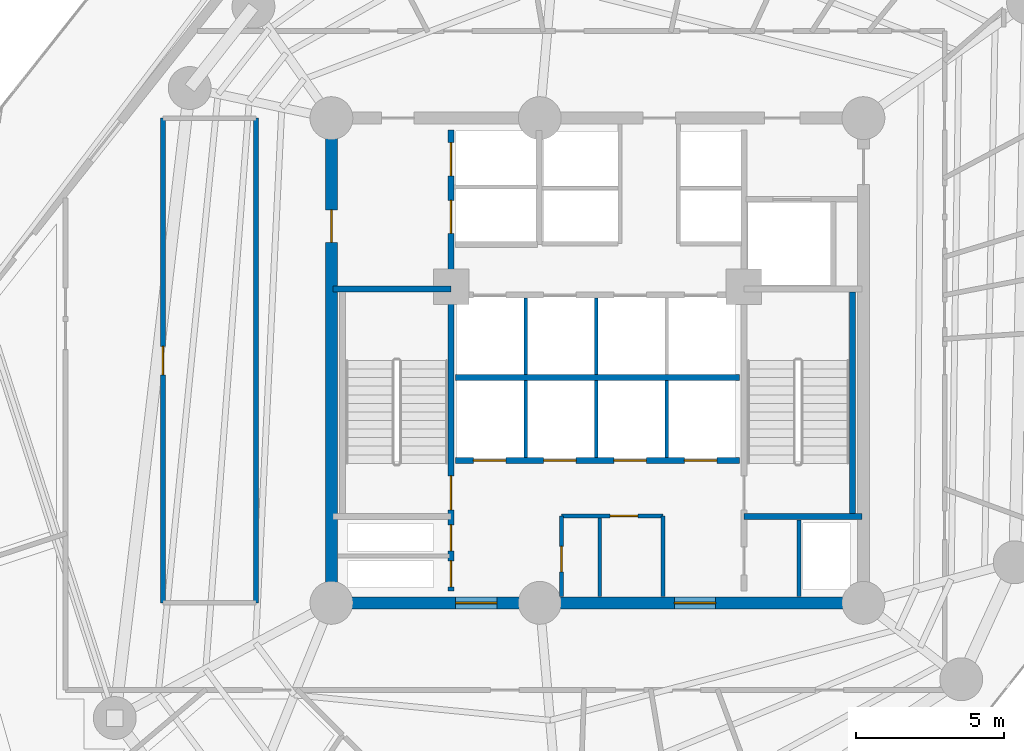
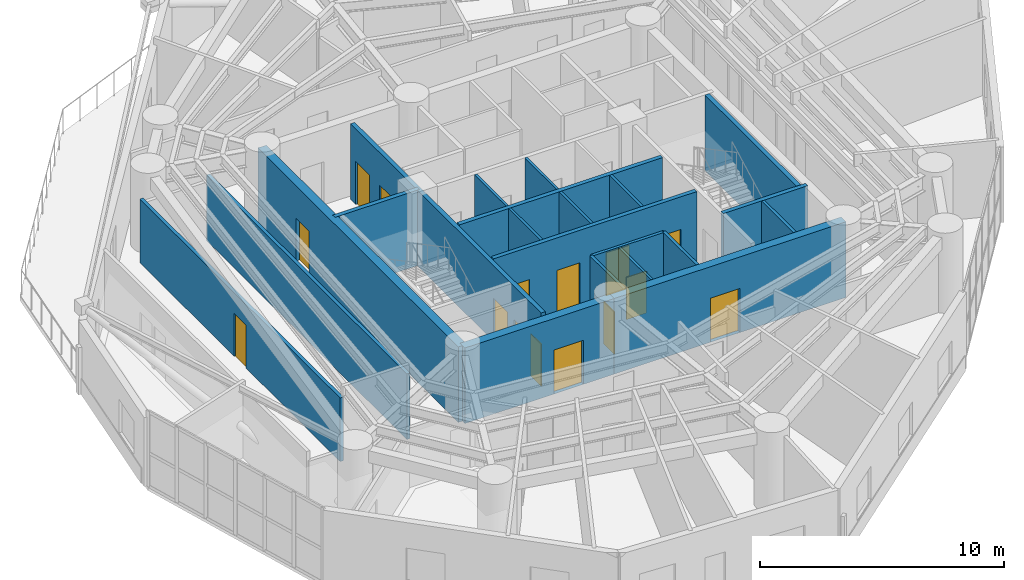
# One storey, part 8 of 14: 21 walls, 15 doors, 15 openings.
"""IFC4 building model written with IfcOpenShell, lengths in metres."""

from ifc_helpers import new_model, si_unit, direction, frame, frame_2d, origin, origin_with_axes, place, context, subcontext, project, spatial, rectangle, extrude, source, transform, mapped, material, layer, layer_set, type_object, element, fill, save


model = new_model("IFC4")

# Units and contexts
model_context = context("Model", 3, precision=1e-05, world=origin(), true_north=direction((0.0, 1.0)))
body_context = subcontext(model_context, "Body", "Model", "MODEL_VIEW")
ifc_project = project(units=[si_unit("LENGTHUNIT", "METRE"), si_unit("AREAUNIT", "SQUARE_METRE"), si_unit("VOLUMEUNIT", "CUBIC_METRE"), si_unit("PLANEANGLEUNIT", "RADIAN"), si_unit("MASSUNIT", "GRAM", prefix="KILO")], contexts=[model_context])

# Site, building, storey
site_placement = place(None, origin())
site = spatial("IfcSite", under=ifc_project, at=site_placement, CompositionType="ELEMENT")
building_placement = place(site_placement, origin())
building = spatial("IfcBuilding", under=site, at=building_placement, Name="Karkom Vertical University and Central Library", CompositionType="ELEMENT")
storey_placement = place(building_placement, frame((0.0, 0.0, 92.199951171875)))
storey = spatial("IfcBuildingStorey", under=building, at=storey_placement, Name="L24", CompositionType="ELEMENT", Elevation=92.199951171875)

# Wall, opening, door
ifc_material_1 = material(Name="Insulated metal-stud drywall 160mm", Category="gypsum")
ifc_layer_1 = layer(ifc_material_1, 0.159912109375)
ifc_layer_set_1 = layer_set([ifc_layer_1], Name="Insulated metal-stud drywall 160mm")
wall_type_1 = type_object("IfcWallType", Name="INT-WL-COR-160", PredefinedType="PARTITIONING", material=ifc_layer_set_1)
wall_1_placement = place(storey_placement, frame((13.800048828125, 34.699951171875, 0.0), z_axis=(0.0, 0.0, 1.0), x_axis=(0.0, -1.0, 0.0)))
wall_1 = element("IfcWall", 1, at=wall_1_placement, inside=storey, type_object=wall_type_1, Name="Level 24 Interior Partition Wall L24-CORW-CW-006", PredefinedType="PARTITIONING", context=body_context, shape_type="SweptSolid", body=[
    extrude(rectangle(XDim=16.39990234375, YDim=0.159912109375, at=frame_2d((8.199951171875, 0.0))), origin(), (0.0, 0.0, 1.0), 3.175048828125),
])
opening_1_placement = place(wall_1_placement, frame((7.72509765625, 0.0, 0.0)))
opening_1 = element("IfcOpeningElement", 2, at=opening_1_placement, cuts=wall_1, Name="Opening FD-RM2", PredefinedType="OPENING", context=body_context, shape_type="SweptSolid", body=[
    extrude(rectangle(XDim=0.9599609375, YDim=2.14990234375, at=frame_2d((0.47998046875, 1.074951171875))), frame((0.0, 0.08984375, 0.0), z_axis=(0.0, -1.0, 0.0), x_axis=(1.0, 0.0, 0.0)), (0.0, 0.0, 1.0), 0.179931640625),
])
ifc_material_2 = material(Name="Fire-rated oak veneer door", Category="wood")
door_type_1 = type_object("IfcDoorType", Name="INT-DR-FRM2", OperationType="NOTDEFINED", PredefinedType="DOOR", material=ifc_material_2)
shared_shape_1 = source(origin_with_axes(), body_context, "Body", "SweptSolid", [
    extrude(rectangle(XDim=0.9599609375, YDim=2.14990234375, at=frame_2d((0.47998046875, 1.074951171875))), frame((0.0, 0.02490234375, 0.0), z_axis=(0.0, -1.0, 0.0), x_axis=(1.0, 0.0, 0.0)), (0.0, 0.0, 1.0), 0.050048828125),
])
door_1_placement = place(opening_1_placement, origin())
door_1 = element("IfcDoor", 3, at=door_1_placement, inside=storey, type_object=door_type_1, Name="Level 24 Room Entry Door 250", OperationType="SINGLE_SWING_LEFT", OverallHeight=2.14990234375, OverallWidth=0.9599609375, PredefinedType="DOOR", context=body_context, shape_type="MappedRepresentation", body=[
    mapped(shared_shape_1, transform((0.0, 0.0, 0.0), scale=1.0)),
])
fill(opening_1, door_1)

# Walls
wall_2_placement = place(storey_placement, frame((16.949951171875, 18.300048828125, 0.0), z_axis=(0.0, 0.0, 1.0), x_axis=(0.0, 1.0, 0.0)))
element("IfcWall", 4, at=wall_2_placement, inside=storey, type_object=wall_type_1, Name="Level 24 Interior Partition Wall L24-CORW-CW-008", PredefinedType="PARTITIONING", context=body_context, shape_type="SweptSolid", body=[
    extrude(rectangle(XDim=16.39990234375, YDim=0.159912109375, at=frame_2d((8.199951171875, 0.0))), origin(), (0.0, 0.0, 1.0), 3.275146484375),
])
ifc_material_3 = material(Name="Moisture-resistant drywall 120mm", Category="gypsum")
ifc_layer_2 = layer(ifc_material_3, 0.1201171875)
ifc_layer_set_2 = layer_set([ifc_layer_2], Name="Moisture-resistant drywall 120mm")
wall_type_2 = type_object("IfcWallType", Name="INT-WL-INT-120", PredefinedType="PARTITIONING", material=ifc_layer_set_2)
wall_3_placement = place(storey_placement, frame((28.580078125, 18.507080078125, 0.0), z_axis=(0.0, 0.0, 1.0), x_axis=(0.0, 1.0, 0.0)))
element("IfcWall", 5, at=wall_3_placement, inside=storey, type_object=wall_type_2, Name="Level 24 Interior Partition Wall L24-CW-K2-DIV", PredefinedType="PARTITIONING", context=body_context, shape_type="SweptSolid", body=[
    extrude(rectangle(XDim=2.66162109375, YDim=0.1201171875, at=frame_2d((1.330810546875, 0.0))), origin(), (0.0, 0.0, 1.0), 3.775146484375),
])
ifc_layer_3 = layer(ifc_material_3, 0.1201171875)
ifc_layer_set_3 = layer_set([ifc_layer_3], Name="Moisture-resistant drywall 120mm")
wall_type_3 = type_object("IfcWallType", Name="INT-WL-INT-120H", PredefinedType="PARTITIONING", material=ifc_layer_set_3)
for number, where, z_axis, x_axis, name in (
    (6, (26.080078125, 23.219970703125, 0.0), (0.0, 0.0, 1.0), (0.0, 1.0, 0.0), "Level 24 Interior Partition Wall L24-CW-PL-DIV1"),
    (7, (28.4599609375, 23.219970703125, 0.0), (0.0, 0.0, 1.0), (0.0, 1.0, 0.0), "Level 24 Interior Partition Wall L24-CW-PL-DIV2"),
    (8, (30.840087890625, 23.219970703125, 0.0), (0.0, 0.0, 1.0), (0.0, 1.0, 0.0), "Level 24 Interior Partition Wall L24-CW-PL-DIV3"),
    (9, (26.080078125, 26.02001953125, 0.0), (0.0, 0.0, 1.0), (0.0, 1.0, 0.0), "Level 24 Interior Partition Wall L24-CW-PM-DIV1"),
    (10, (28.4599609375, 26.02001953125, 0.0), (0.0, 0.0, 1.0), (0.0, 1.0, 0.0), "Level 24 Interior Partition Wall L24-CW-PM-DIV2"),
):
    element("IfcWall", number, at=place(storey_placement, frame(where, z_axis=z_axis, x_axis=x_axis)), inside=storey, type_object=wall_type_3, Name=name, PredefinedType="PARTITIONING", context=body_context, shape_type="SweptSolid", body=[
        extrude(rectangle(XDim=2.60009765625, YDim=0.1201171875, at=frame_2d((1.300048828125, 0.0))), origin(), (0.0, 0.0, 1.0), 3.775146484375),
    ])

# Wall, opening, door
ifc_material_4 = material(Name="Metal-stud gypsum partition 140mm", Category="gypsum")
ifc_layer_4 = layer(ifc_material_4, 0.139892578125)
ifc_layer_set_4 = layer_set([ifc_layer_4], Name="Metal-stud gypsum partition 140mm")
wall_type_4 = type_object("IfcWallType", Name="INT-WL-SUB-140", PredefinedType="PARTITIONING", material=ifc_layer_set_4)
wall_4_placement = place(storey_placement, frame((27.280029296875, 21.239990234375, 0.0), z_axis=(0.0, 0.0, 1.0), x_axis=(1.0, 0.0, 0.0)))
wall_4 = element("IfcWall", 11, at=wall_4_placement, inside=storey, type_object=wall_type_4, Name="Level 24 Interior Partition Wall L24-CW-KBAY-N", PredefinedType="PARTITIONING", context=body_context, shape_type="SweptSolid", body=[
    extrude(rectangle(XDim=3.43994140625, YDim=0.139892578125, at=frame_2d((1.719970703125, 0.0))), origin(), (0.0, 0.0, 1.0), 3.775146484375),
])
opening_2_placement = place(wall_4_placement, frame((1.64990234375, 0.0, 0.0)))
opening_2 = element("IfcOpeningElement", 12, at=opening_2_placement, cuts=wall_4, Name="Opening D-WC1", PredefinedType="OPENING", context=body_context, shape_type="SweptSolid", body=[
    extrude(rectangle(XDim=0.93994140625, YDim=2.10009765625, at=frame_2d((0.469970703125, 1.050048828125))), frame((0.0, 0.080078125, 0.0), z_axis=(0.0, -1.0, 0.0), x_axis=(1.0, 0.0, 0.0)), (0.0, 0.0, 1.0), 0.159912109375),
])
ifc_material_5 = material(Name="Fire-rated laminate moisture-resistant door", Category="wood")
door_type_2 = type_object("IfcDoorType", Name="INT-DR-WC1", OperationType="NOTDEFINED", PredefinedType="DOOR", material=ifc_material_5)
shared_shape_2 = source(origin_with_axes(), body_context, "Body", "SweptSolid", [
    extrude(rectangle(XDim=0.93994140625, YDim=2.10009765625, at=frame_2d((0.469970703125, 1.050048828125))), frame((0.0, 0.02490234375, 0.0), z_axis=(0.0, -1.0, 0.0), x_axis=(1.0, 0.0, 0.0)), (0.0, 0.0, 1.0), 0.050048828125),
])
door_2_placement = place(opening_2_placement, origin())
door_2 = element("IfcDoor", 13, at=door_2_placement, inside=storey, type_object=door_type_2, Name="Level 24 Staff WC Door", OperationType="SINGLE_SWING_LEFT", OverallHeight=2.10009765625, OverallWidth=0.93994140625, PredefinedType="DOOR", context=body_context, shape_type="MappedRepresentation", body=[
    mapped(shared_shape_2, transform((0.0, 0.0, 0.0), scale=1.0)),
])
fill(opening_2, door_2)

wall_5_placement = place(storey_placement, frame((27.280029296875, 18.507080078125, 0.0), z_axis=(0.0, 0.0, 1.0), x_axis=(0.0, 1.0, 0.0)))
wall_5 = element("IfcWall", 14, at=wall_5_placement, inside=storey, type_object=wall_type_4, Name="Level 24 Interior Partition Wall L24-CW-KBAY-W", PredefinedType="PARTITIONING", context=body_context, shape_type="SweptSolid", body=[
    extrude(rectangle(XDim=2.73291015625, YDim=0.139892578125, at=frame_2d((1.366455078125, 0.0))), origin(), (0.0, 0.0, 1.0), 3.775146484375),
])
opening_3_placement = place(wall_5_placement, frame((0.840087890625, 0.0, 0.0)))
opening_3 = element("IfcOpeningElement", 15, at=opening_3_placement, cuts=wall_5, Name="Opening D-BATH", PredefinedType="OPENING", context=body_context, shape_type="SweptSolid", body=[
    extrude(rectangle(XDim=0.860107421875, YDim=2.10009765625, at=frame_2d((0.43017578125, 1.050048828125))), frame((0.0, 0.080078125, 0.0), z_axis=(0.0, -1.0, 0.0), x_axis=(1.0, 0.0, 0.0)), (0.0, 0.0, 1.0), 0.159912109375),
])
ifc_material_6 = material(Name="Moisture-resistant oak door", Category="wood")
door_type_3 = type_object("IfcDoorType", Name="INT-DR-BATH", OperationType="NOTDEFINED", PredefinedType="DOOR", material=ifc_material_6)
shared_shape_3 = source(origin_with_axes(), body_context, "Body", "SweptSolid", [
    extrude(rectangle(XDim=0.860107421875, YDim=2.10009765625, at=frame_2d((0.43017578125, 1.050048828125))), frame((0.0, 0.02490234375, 0.0), z_axis=(0.0, -1.0, 0.0), x_axis=(1.0, 0.0, 0.0)), (0.0, 0.0, 1.0), 0.050048828125),
])
door_3_placement = place(opening_3_placement, origin())
door_3 = element("IfcDoor", 16, at=door_3_placement, inside=storey, type_object=door_type_3, Name="Level 24 Cleaners Store Door", OperationType="SINGLE_SWING_RIGHT", OverallHeight=2.10009765625, OverallWidth=0.860107421875, PredefinedType="DOOR", context=body_context, shape_type="MappedRepresentation", body=[
    mapped(shared_shape_3, transform((0.0, 0.0, 0.0), scale=1.0)),
])
fill(opening_3, door_3)

# Walls
wall_6_placement = place(storey_placement, frame((30.719970703125, 18.507080078125, 0.0), z_axis=(0.0, 0.0, 1.0), x_axis=(0.0, 1.0, 0.0)))
element("IfcWall", 17, at=wall_6_placement, inside=storey, type_object=wall_type_4, Name="Level 24 Interior Partition Wall L24-CW-KBAY-E", PredefinedType="PARTITIONING", context=body_context, shape_type="SweptSolid", body=[
    extrude(rectangle(XDim=2.73291015625, YDim=0.139892578125, at=frame_2d((1.366455078125, 0.0))), origin(), (0.0, 0.0, 1.0), 3.775146484375),
])
ifc_layer_5 = layer(ifc_material_4, 0.139892578125)
ifc_layer_set_5 = layer_set([ifc_layer_5], Name="Metal-stud gypsum partition 140mm")
wall_type_5 = type_object("IfcWallType", Name="INT-WL-SUB-140H", PredefinedType="PARTITIONING", material=ifc_layer_set_5)
wall_7_placement = place(storey_placement, frame((35.320068359375, 18.507080078125, 0.0), z_axis=(0.0, 0.0, 1.0), x_axis=(0.0, 1.0, 0.0)))
element("IfcWall", 18, at=wall_7_placement, inside=storey, type_object=wall_type_5, Name="Level 24 Interior Partition Wall L24-CW-RIS-E", PredefinedType="PARTITIONING", context=body_context, shape_type="SweptSolid", body=[
    extrude(rectangle(XDim=2.603759765625, YDim=0.139892578125, at=frame_2d((1.3017578125, 0.0))), origin(), (0.0, 0.0, 1.0), 3.775146484375),
])

# Wall, opening, door
ifc_material_7 = material(Name="Concrete C50/60", Category="concrete")
ifc_layer_6 = layer(ifc_material_7, 0.39990234375)
ifc_layer_set_6 = layer_set([ifc_layer_6], Name="Concrete C50/60")
wall_type_6 = type_object("IfcWallType", Name="STR-WL-CW-400", PredefinedType="SHEAR", material=ifc_layer_set_6)
wall_8_placement = place(storey_placement, frame((19.5, 18.300048828125, 0.0), z_axis=(0.0, 0.0, 1.0), x_axis=(1.0, 0.0, 0.0)))
wall_8 = element("IfcWall", 19, at=wall_8_placement, inside=storey, type_object=wall_type_6, Name="Level 24 Central Core Shear Wall SW1", PredefinedType="SHEAR", context=body_context, shape_type="SweptSolid", body=[
    extrude(rectangle(XDim=7.050048828125, YDim=0.39990234375, at=frame_2d((3.52490234375, 0.0))), origin(), (0.0, 0.0, 1.0), 3.775146484375),
])
opening_4_placement = place(wall_8_placement, frame((4.199951171875, 0.0, 0.0)))
opening_4 = element("IfcOpeningElement", 20, at=opening_4_placement, cuts=wall_8, Name="Opening FD-CLB", PredefinedType="OPENING", context=body_context, shape_type="SweptSolid", body=[
    extrude(rectangle(XDim=1.39990234375, YDim=2.199951171875, at=frame_2d((0.699951171875, 1.10009765625))), frame((0.0, 0.2099609375, 0.0), z_axis=(0.0, -1.0, 0.0), x_axis=(1.0, 0.0, 0.0)), (0.0, 0.0, 1.0), 0.419921875),
])
ifc_material_8 = material(Name="Painted steel fire door", Category="steel")
door_type_4 = type_object("IfcDoorType", Name="INT-DR-CLB", OperationType="DOUBLE_DOOR_SINGLE_SWING", PredefinedType="DOOR", material=ifc_material_8)
shared_shape_4 = source(origin_with_axes(), body_context, "Body", "SweptSolid", [
    extrude(rectangle(XDim=1.39990234375, YDim=2.199951171875, at=frame_2d((0.699951171875, 1.10009765625))), frame((0.0, 0.02490234375, 0.0), z_axis=(0.0, -1.0, 0.0), x_axis=(1.0, 0.0, 0.0)), (0.0, 0.0, 1.0), 0.050048828125),
])
door_4_placement = place(opening_4_placement, origin())
door_4 = element("IfcDoor", 21, at=door_4_placement, inside=storey, type_object=door_type_4, Name="Level 24 South Core Lobby West Exit Door", OperationType="DOUBLE_DOOR_SINGLE_SWING", OverallHeight=2.199951171875, OverallWidth=1.39990234375, PredefinedType="DOOR", context=body_context, shape_type="MappedRepresentation", body=[
    mapped(shared_shape_4, transform((0.0, 0.0, 0.0), scale=1.0)),
])
fill(opening_4, door_4)

wall_9_placement = place(storey_placement, frame((26.550048828125, 18.300048828125, 0.0), z_axis=(0.0, 0.0, 1.0), x_axis=(1.0, 0.0, 0.0)))
wall_9 = element("IfcWall", 22, at=wall_9_placement, inside=storey, type_object=wall_type_6, Name="Level 24 Central Core Shear Wall SW2", PredefinedType="SHEAR", context=body_context, shape_type="SweptSolid", body=[
    extrude(rectangle(XDim=10.949951171875, YDim=0.39990234375, at=frame_2d((5.47509765625, 0.0))), origin(), (0.0, 0.0, 1.0), 3.775146484375),
])
opening_5_placement = place(wall_9_placement, frame((4.550048828125, 0.0, 0.0)))
opening_5 = element("IfcOpeningElement", 23, at=opening_5_placement, cuts=wall_9, Name="Opening FD-CLB", PredefinedType="OPENING", context=body_context, shape_type="SweptSolid", body=[
    extrude(rectangle(XDim=1.39990234375, YDim=2.199951171875, at=frame_2d((0.699951171875, 1.10009765625))), frame((0.0, 0.2099609375, 0.0), z_axis=(0.0, -1.0, 0.0), x_axis=(1.0, 0.0, 0.0)), (0.0, 0.0, 1.0), 0.419921875),
])
door_5_placement = place(opening_5_placement, origin())
door_5 = element("IfcDoor", 24, at=door_5_placement, inside=storey, type_object=door_type_4, Name="Level 24 South Core Lobby East Exit Door", OperationType="DOUBLE_DOOR_SINGLE_SWING", OverallHeight=2.199951171875, OverallWidth=1.39990234375, PredefinedType="DOOR", context=body_context, shape_type="MappedRepresentation", body=[
    mapped(shared_shape_4, transform((0.0, 0.0, 0.0), scale=1.0)),
])
fill(opening_5, door_5)

wall_10_placement = place(storey_placement, frame((19.5, 34.699951171875, 0.0), z_axis=(0.0, 0.0, 1.0), x_axis=(0.0, -1.0, 0.0)))
wall_10 = element("IfcWall", 25, at=wall_10_placement, inside=storey, type_object=wall_type_6, Name="Level 24 Central Core Shear Wall WW", PredefinedType="SHEAR", context=body_context, shape_type="SweptSolid", body=[
    extrude(rectangle(XDim=16.39990234375, YDim=0.39990234375, at=frame_2d((8.199951171875, 0.0))), origin(), (0.0, 0.0, 1.0), 3.775146484375),
])
opening_6_placement = place(wall_10_placement, frame((3.10009765625, 0.0, 0.0)))
opening_6 = element("IfcOpeningElement", 26, at=opening_6_placement, cuts=wall_10, Name="Opening FD-FFL", PredefinedType="OPENING", context=body_context, shape_type="SweptSolid", body=[
    extrude(rectangle(XDim=1.10009765625, YDim=2.14990234375, at=frame_2d((0.550048828125, 1.074951171875))), frame((0.0, 0.2099609375, 0.0), z_axis=(0.0, -1.0, 0.0), x_axis=(1.0, 0.0, 0.0)), (0.0, 0.0, 1.0), 0.419921875),
])
ifc_material_9 = material(Name="Painted steel smoke-seal fire door", Category="steel")
door_type_5 = type_object("IfcDoorType", Name="INT-DR-FFL", OperationType="NOTDEFINED", PredefinedType="DOOR", material=ifc_material_9)
shared_shape_5 = source(origin_with_axes(), body_context, "Body", "SweptSolid", [
    extrude(rectangle(XDim=1.10009765625, YDim=2.14990234375, at=frame_2d((0.550048828125, 1.074951171875))), frame((0.0, 0.02490234375, 0.0), z_axis=(0.0, -1.0, 0.0), x_axis=(1.0, 0.0, 0.0)), (0.0, 0.0, 1.0), 0.050048828125),
])
door_6_placement = place(opening_6_placement, origin())
door_6 = element("IfcDoor", 27, at=door_6_placement, inside=storey, type_object=door_type_5, Name="Level 24 West Corridor Firefighting Lobby Door", OperationType="SINGLE_SWING_RIGHT", OverallHeight=2.14990234375, OverallWidth=1.10009765625, PredefinedType="DOOR", context=body_context, shape_type="MappedRepresentation", body=[
    mapped(shared_shape_5, transform((0.0, 0.0, 0.0), scale=1.0)),
])
fill(opening_6, door_6)

# Wall, openings, doors
ifc_material_10 = material(Name="Concrete C45/55", Category="concrete")
ifc_layer_7 = layer(ifc_material_10, 0.199951171875)
ifc_layer_set_7 = layer_set([ifc_layer_7], Name="Concrete C45/55")
wall_type_7 = type_object("IfcWallType", Name="STR-WL-ST-200", PredefinedType="SHEAR", material=ifc_layer_set_7)
wall_11_placement = place(storey_placement, frame((23.544921875, 18.699951171875, 0.0), z_axis=(0.0, 0.0, 1.0), x_axis=(0.0, 1.0, 0.0)))
wall_11 = element("IfcWall", 28, at=wall_11_placement, inside=storey, type_object=wall_type_7, Name="Level 24 Core Shaft Wall L24-CW-ST1-E", PredefinedType="SHEAR", context=body_context, shape_type="SweptSolid", body=[
    extrude(rectangle(XDim=15.60009765625, YDim=0.199951171875, at=frame_2d((7.800048828125, 0.0))), origin(), (0.0, 0.0, 1.0), 3.775146484375),
])
opening_7_placement = place(wall_11_placement, frame((2.75, 0.0, 0.0)))
opening_7 = element("IfcOpeningElement", 29, at=opening_7_placement, cuts=wall_11, Name="Opening FD-ST1", PredefinedType="OPENING", context=body_context, shape_type="SweptSolid", body=[
    extrude(rectangle(XDim=1.14990234375, YDim=2.14990234375, at=frame_2d((0.574951171875, 1.074951171875))), frame((0.0, 0.10986328125, 0.0), z_axis=(0.0, -1.0, 0.0), x_axis=(1.0, 0.0, 0.0)), (0.0, 0.0, 1.0), 0.219970703125),
])
opening_8_placement = place(wall_11_placement, frame((0.139892578125, 0.0, 0.0)))
opening_8 = element("IfcOpeningElement", 30, at=opening_8_placement, cuts=wall_11, Name="Opening FD-RIS", PredefinedType="OPENING", context=body_context, shape_type="SweptSolid", body=[
    extrude(rectangle(XDim=0.8798828125, YDim=2.10009765625, at=frame_2d((0.43994140625, 1.050048828125))), frame((0.0, 0.10986328125, 0.0), z_axis=(0.0, -1.0, 0.0), x_axis=(1.0, 0.0, 0.0)), (0.0, 0.0, 1.0), 0.219970703125),
])
opening_9_placement = place(wall_11_placement, frame((1.360107421875, 0.0, 0.0)))
opening_9 = element("IfcOpeningElement", 31, at=opening_9_placement, cuts=wall_11, Name="Opening FD-RIS", PredefinedType="OPENING", context=body_context, shape_type="SweptSolid", body=[
    extrude(rectangle(XDim=0.8798828125, YDim=2.10009765625, at=frame_2d((0.43994140625, 1.050048828125))), frame((0.0, 0.10986328125, 0.0), z_axis=(0.0, -1.0, 0.0), x_axis=(1.0, 0.0, 0.0)), (0.0, 0.0, 1.0), 0.219970703125),
])
opening_10_placement = place(wall_11_placement, frame((12.10009765625, 0.0, 0.0)))
opening_10 = element("IfcOpeningElement", 32, at=opening_10_placement, cuts=wall_11, Name="Opening LD-FFL", PredefinedType="OPENING", context=body_context, shape_type="SweptSolid", body=[
    extrude(rectangle(XDim=1.1201171875, YDim=2.14990234375, at=frame_2d((0.56005859375, 1.074951171875))), frame((0.0, 0.10986328125, 0.0), z_axis=(0.0, -1.0, 0.0), x_axis=(1.0, 0.0, 0.0)), (0.0, 0.0, 1.0), 0.219970703125),
])
opening_11_placement = place(wall_11_placement, frame((14.050048828125, 0.0, 0.0)))
opening_11 = element("IfcOpeningElement", 33, at=opening_11_placement, cuts=wall_11, Name="Opening LD-FFL", PredefinedType="OPENING", context=body_context, shape_type="SweptSolid", body=[
    extrude(rectangle(XDim=1.1201171875, YDim=2.14990234375, at=frame_2d((0.56005859375, 1.074951171875))), frame((0.0, 0.10986328125, 0.0), z_axis=(0.0, -1.0, 0.0), x_axis=(1.0, 0.0, 0.0)), (0.0, 0.0, 1.0), 0.219970703125),
])
ifc_material_11 = material(Name="Painted steel acoustic fire door", Category="steel")
door_type_6 = type_object("IfcDoorType", Name="INT-DR-ST1", OperationType="NOTDEFINED", PredefinedType="DOOR", material=ifc_material_11)
shared_shape_6 = source(origin_with_axes(), body_context, "Body", "SweptSolid", [
    extrude(rectangle(XDim=1.14990234375, YDim=2.14990234375, at=frame_2d((0.574951171875, 1.074951171875))), frame((0.0, 0.02490234375, 0.0), z_axis=(0.0, -1.0, 0.0), x_axis=(1.0, 0.0, 0.0)), (0.0, 0.0, 1.0), 0.050048828125),
])
door_7_placement = place(opening_7_placement, origin())
door_7 = element("IfcDoor", 34, at=door_7_placement, inside=storey, type_object=door_type_6, Name="Level 24 Stair ST-1 Fire Door", OperationType="SINGLE_SWING_LEFT", OverallHeight=2.14990234375, OverallWidth=1.14990234375, PredefinedType="DOOR", context=body_context, shape_type="MappedRepresentation", body=[
    mapped(shared_shape_6, transform((0.0, 0.0, 0.0), scale=1.0)),
])
fill(opening_7, door_7)
ifc_material_12 = material(Name="Painted steel riser access door", Category="steel")
door_type_7 = type_object("IfcDoorType", Name="INT-DR-RIS", OperationType="NOTDEFINED", PredefinedType="DOOR", material=ifc_material_12)
shared_shape_7 = source(origin_with_axes(), body_context, "Body", "SweptSolid", [
    extrude(rectangle(XDim=0.8798828125, YDim=2.10009765625, at=frame_2d((0.43994140625, 1.050048828125))), frame((0.0, 0.02490234375, 0.0), z_axis=(0.0, -1.0, 0.0), x_axis=(1.0, 0.0, 0.0)), (0.0, 0.0, 1.0), 0.050048828125),
])
door_8_placement = place(opening_8_placement, origin())
door_8 = element("IfcDoor", 35, at=door_8_placement, inside=storey, type_object=door_type_7, Name="Level 24 Electrical Riser Access Door", OperationType="SINGLE_SWING_LEFT", OverallHeight=2.10009765625, OverallWidth=0.8798828125, PredefinedType="DOOR", context=body_context, shape_type="MappedRepresentation", body=[
    mapped(shared_shape_7, transform((0.0, 0.0, 0.0), scale=1.0)),
])
fill(opening_8, door_8)
door_9_placement = place(opening_9_placement, origin())
door_9 = element("IfcDoor", 36, at=door_9_placement, inside=storey, type_object=door_type_7, Name="Level 24 Telecom Riser Access Door", OperationType="SINGLE_SWING_RIGHT", OverallHeight=2.10009765625, OverallWidth=0.8798828125, PredefinedType="DOOR", context=body_context, shape_type="MappedRepresentation", body=[
    mapped(shared_shape_7, transform((0.0, 0.0, 0.0), scale=1.0)),
])
fill(opening_9, door_9)
ifc_material_13 = material(Name="Fire-rated stainless-steel landing door", Category="steel")
door_type_8 = type_object("IfcDoorType", Name="INT-DR-LD-FFL", OperationType="SLIDING_TO_LEFT", PredefinedType="DOOR", material=ifc_material_13)
shared_shape_8 = source(origin_with_axes(), body_context, "Body", "SweptSolid", [
    extrude(rectangle(XDim=1.1201171875, YDim=2.14990234375, at=frame_2d((0.56005859375, 1.074951171875))), frame((0.0, 0.02490234375, 0.0), z_axis=(0.0, -1.0, 0.0), x_axis=(1.0, 0.0, 0.0)), (0.0, 0.0, 1.0), 0.050048828125),
])
door_10_placement = place(opening_10_placement, origin())
door_10 = element("IfcDoor", 37, at=door_10_placement, inside=storey, type_object=door_type_8, Name="Level 24 Firefighting Lift FFL-1 Landing Door", OperationType="SLIDING_TO_LEFT", OverallHeight=2.14990234375, OverallWidth=1.1201171875, PredefinedType="DOOR", context=body_context, shape_type="MappedRepresentation", body=[
    mapped(shared_shape_8, transform((0.0, 0.0, 0.0), scale=1.0)),
])
fill(opening_10, door_10)
door_11_placement = place(opening_11_placement, origin())
door_11 = element("IfcDoor", 38, at=door_11_placement, inside=storey, type_object=door_type_8, Name="Level 24 Firefighting Lift FFL-2 Landing Door", OperationType="SLIDING_TO_RIGHT", OverallHeight=2.14990234375, OverallWidth=1.1201171875, PredefinedType="DOOR", context=body_context, shape_type="MappedRepresentation", body=[
    mapped(shared_shape_8, transform((0.0, 0.0, 0.0), scale=1.0)),
])
fill(opening_11, door_11)

wall_12_placement = place(storey_placement, frame((23.699951171875, 23.1201171875, 0.0), z_axis=(0.0, 0.0, 1.0), x_axis=(1.0, 0.0, 0.0)))
wall_12 = element("IfcWall", 39, at=wall_12_placement, inside=storey, type_object=wall_type_7, Name="Level 24 Core Shaft Wall L24-CW-B1-S", PredefinedType="SHEAR", context=body_context, shape_type="SweptSolid", body=[
    extrude(rectangle(XDim=9.60009765625, YDim=0.199951171875, at=frame_2d((4.800048828125, 0.0))), origin(), (0.0, 0.0, 1.0), 3.775146484375),
])
opening_12_placement = place(wall_12_placement, frame((0.60009765625, 0.0, 0.0)))
opening_12 = element("IfcOpeningElement", 40, at=opening_12_placement, cuts=wall_12, Name="Opening LD-PAX", PredefinedType="OPENING", context=body_context, shape_type="SweptSolid", body=[
    extrude(rectangle(XDim=1.10009765625, YDim=2.14990234375, at=frame_2d((0.550048828125, 1.074951171875))), frame((0.0, 0.10986328125, 0.0), z_axis=(0.0, -1.0, 0.0), x_axis=(1.0, 0.0, 0.0)), (0.0, 0.0, 1.0), 0.219970703125),
])
opening_13_placement = place(wall_12_placement, frame((2.97998046875, 0.0, 0.0)))
opening_13 = element("IfcOpeningElement", 41, at=opening_13_placement, cuts=wall_12, Name="Opening LD-PAX", PredefinedType="OPENING", context=body_context, shape_type="SweptSolid", body=[
    extrude(rectangle(XDim=1.10009765625, YDim=2.14990234375, at=frame_2d((0.550048828125, 1.074951171875))), frame((0.0, 0.10986328125, 0.0), z_axis=(0.0, -1.0, 0.0), x_axis=(1.0, 0.0, 0.0)), (0.0, 0.0, 1.0), 0.219970703125),
])
opening_14_placement = place(wall_12_placement, frame((5.360107421875, 0.0, 0.0)))
opening_14 = element("IfcOpeningElement", 42, at=opening_14_placement, cuts=wall_12, Name="Opening LD-PAX", PredefinedType="OPENING", context=body_context, shape_type="SweptSolid", body=[
    extrude(rectangle(XDim=1.10009765625, YDim=2.14990234375, at=frame_2d((0.550048828125, 1.074951171875))), frame((0.0, 0.10986328125, 0.0), z_axis=(0.0, -1.0, 0.0), x_axis=(1.0, 0.0, 0.0)), (0.0, 0.0, 1.0), 0.219970703125),
])
opening_15_placement = place(wall_12_placement, frame((7.739990234375, 0.0, 0.0)))
opening_15 = element("IfcOpeningElement", 43, at=opening_15_placement, cuts=wall_12, Name="Opening LD-PAX", PredefinedType="OPENING", context=body_context, shape_type="SweptSolid", body=[
    extrude(rectangle(XDim=1.10009765625, YDim=2.14990234375, at=frame_2d((0.550048828125, 1.074951171875))), frame((0.0, 0.10986328125, 0.0), z_axis=(0.0, -1.0, 0.0), x_axis=(1.0, 0.0, 0.0)), (0.0, 0.0, 1.0), 0.219970703125),
])
ifc_material_14 = material(Name="Brushed stainless-steel landing door", Category="steel")
door_type_9 = type_object("IfcDoorType", Name="INT-DR-LD-PAX", OperationType="SLIDING_TO_LEFT", PredefinedType="DOOR", material=ifc_material_14)
door_12_placement = place(opening_12_placement, origin())
door_12 = element("IfcDoor", 44, at=door_12_placement, inside=storey, type_object=door_type_9, Name="Level 24 Lift PL-1 Landing Door", OperationType="SLIDING_TO_LEFT", OverallHeight=2.14990234375, OverallWidth=1.10009765625, PredefinedType="DOOR", context=body_context, shape_type="MappedRepresentation", body=[
    mapped(shared_shape_5, transform((0.0, 0.0, 0.0), scale=1.0)),
])
fill(opening_12, door_12)
door_13_placement = place(opening_13_placement, origin())
door_13 = element("IfcDoor", 45, at=door_13_placement, inside=storey, type_object=door_type_9, Name="Level 24 Lift PL-2 Landing Door", OperationType="SLIDING_TO_RIGHT", OverallHeight=2.14990234375, OverallWidth=1.10009765625, PredefinedType="DOOR", context=body_context, shape_type="MappedRepresentation", body=[
    mapped(shared_shape_5, transform((0.0, 0.0, 0.0), scale=1.0)),
])
fill(opening_13, door_13)
door_14_placement = place(opening_14_placement, origin())
door_14 = element("IfcDoor", 46, at=door_14_placement, inside=storey, type_object=door_type_9, Name="Level 24 Lift PL-3 Landing Door", OperationType="SLIDING_TO_LEFT", OverallHeight=2.14990234375, OverallWidth=1.10009765625, PredefinedType="DOOR", context=body_context, shape_type="MappedRepresentation", body=[
    mapped(shared_shape_5, transform((0.0, 0.0, 0.0), scale=1.0)),
])
fill(opening_14, door_14)
door_15_placement = place(opening_15_placement, origin())
door_15 = element("IfcDoor", 47, at=door_15_placement, inside=storey, type_object=door_type_9, Name="Level 24 Lift PL-4 Landing Door", OperationType="SLIDING_TO_RIGHT", OverallHeight=2.14990234375, OverallWidth=1.10009765625, PredefinedType="DOOR", context=body_context, shape_type="MappedRepresentation", body=[
    mapped(shared_shape_5, transform((0.0, 0.0, 0.0), scale=1.0)),
])
fill(opening_15, door_15)

# Walls
wall_13_placement = place(storey_placement, frame((23.699951171875, 25.919921875, 0.0), z_axis=(0.0, 0.0, 1.0), x_axis=(1.0, 0.0, 0.0)))
element("IfcWall", 48, at=wall_13_placement, inside=storey, type_object=wall_type_7, Name="Level 24 Core Shaft Wall L24-CW-B1-N", PredefinedType="SHEAR", context=body_context, shape_type="SweptSolid", body=[
    extrude(rectangle(XDim=9.60009765625, YDim=0.199951171875, at=frame_2d((4.800048828125, 0.0))), origin(), (0.0, 0.0, 1.0), 3.775146484375),
])
wall_14_placement = place(storey_placement, frame((37.125, 21.320068359375, 0.0), z_axis=(0.0, 0.0, 1.0), x_axis=(0.0, 1.0, 0.0)))
element("IfcWall", 49, at=wall_14_placement, inside=storey, type_object=wall_type_7, Name="Level 24 Core Shaft Wall L24-CW-ST2-E", PredefinedType="SHEAR", context=body_context, shape_type="SweptSolid", body=[
    extrude(rectangle(XDim=7.5, YDim=0.199951171875, at=frame_2d((3.75, 0.0))), origin(), (0.0, 0.0, 1.0), 3.775146484375),
])
for number, where, z_axis, x_axis, name in (
    (50, (33.455078125, 21.215087890625, 0.0), (0.0, 0.0, 1.0), (1.0, 0.0, 0.0), "Level 24 Core Shaft Wall L24-CW-ST2-S"),
    (51, (19.550048828125, 28.925048828125, 0.0), (0.0, 0.0, 1.0), (1.0, 0.0, 0.0), "Level 24 Core Shaft Wall L24-CW-ST1-N"),
):
    element("IfcWall", number, at=place(storey_placement, frame(where, z_axis=z_axis, x_axis=x_axis)), inside=storey, type_object=wall_type_7, Name=name, PredefinedType="SHEAR", context=body_context, shape_type="SweptSolid", body=[
        extrude(rectangle(XDim=3.994873046875, YDim=0.199951171875, at=frame_2d((1.99755859375, 0.0))), origin(), (0.0, 0.0, 1.0), 3.775146484375),
    ])

save(model, "model.ifc")
